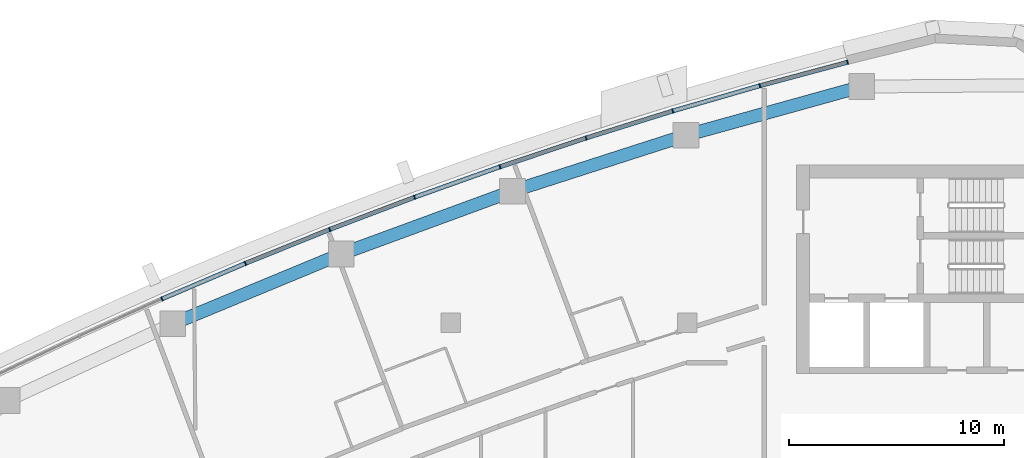
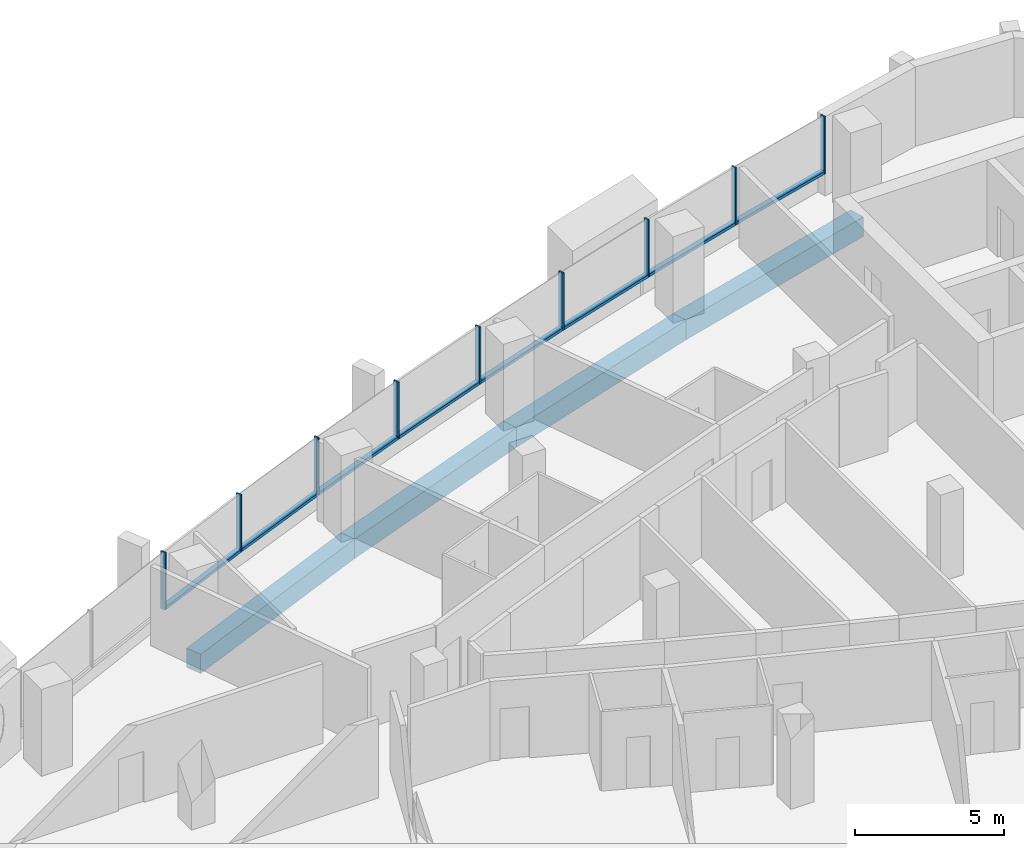
# One storey, part 6 of 15: 17 members, 4 beams, 4 elements without a shape of their own.
"""IFC4 building model written with IfcOpenShell, lengths in metres."""

from ifc_helpers import new_model, si_unit, direction, frame, origin, origin_2d, place, context, subcontext, project, spatial, rectangle, extrude, material, layer, layer_set, material_profile, profile_set, type_object, element, aggregate, save


model = new_model("IFC4")

# Units and contexts
model_context = context("Model", 3, precision=1e-05, world=origin(), true_north=direction((0.0, 1.0)))
body_context = subcontext(model_context, "Body", "Model", "MODEL_VIEW")
ifc_project = project(units=[si_unit("LENGTHUNIT", "METRE"), si_unit("AREAUNIT", "SQUARE_METRE"), si_unit("VOLUMEUNIT", "CUBIC_METRE"), si_unit("PLANEANGLEUNIT", "RADIAN"), si_unit("MASSUNIT", "GRAM", prefix="KILO")], contexts=[model_context])

# Site, building, storey
site_placement = place(None, origin())
site = spatial("IfcSite", under=ifc_project, at=site_placement, CompositionType="ELEMENT")
building_placement = place(site_placement, origin())
building = spatial("IfcBuilding", under=site, at=building_placement, Name="Ostrand Prow Hotel Tower", CompositionType="ELEMENT")
storey_placement = place(building_placement, frame((0.0, 0.0, 238.550048828125)))
storey = spatial("IfcBuildingStorey", under=building, at=storey_placement, Name="L60", CompositionType="ELEMENT", Elevation=238.550048828125)

# Beams
ifc_material_1 = material(Name="Concrete C50/60", Category="concrete")
ifc_material_profile_1 = material_profile(ifc_material_1, rectangle(XDim=0.60009765625, YDim=0.800048828125, at=origin_2d()), Name="RC 600x800")
ifc_profile_set_1 = profile_set([ifc_material_profile_1], Name="Concrete C50/60")
beam_type = type_object("IfcBeamType", Name="Edge beam 600x800 C50/60", PredefinedType="SPANDREL", material=ifc_profile_set_1)
for number, where, z_axis, x_axis, name in (
    (1, (53.12548828125, 19.99951171875, -0.699951171875), (-0.963625802813, -0.267255144297, 0.0), (0.267255144297, -0.963625802813, 0.0), "Edge beam N1-N2"),
    (2, (44.94677734375, 17.731201171875, -0.699951171875), (-0.95193933362, -0.306286638798, 0.0), (0.306286638798, -0.95193933362, 0.0), "Edge beam N2-N3"),
    (3, (36.8671875, 15.131591796875, -0.699951171875), (-0.938684959139, -0.344776083113, 0.0), (0.344776083113, -0.938684959139, 0.0), "Edge beam N3-N4"),
    (4, (28.900146484375, 12.205322265625, -0.699951171875), (-0.923890977326, -0.38265580097, 0.0), (0.38265580097, -0.923890977326, 0.0), "Edge beam N4-N5"),
):
    element("IfcBeam", number, at=place(storey_placement, frame(where, z_axis=z_axis, x_axis=x_axis)), inside=storey, type_object=beam_type, Name=name, PredefinedType="SPANDREL", context=body_context, shape_type="SweptSolid", body=[
        extrude(rectangle(XDim=0.60009765625, YDim=0.800048828125, at=origin_2d()), origin(), (0.0, 0.0, 1.0), 8.487548828125),
    ])

# Curtain wall, members
ifc_material_2 = material(Name="Insulated glass in bronze anodised frame", Category="glass")
ifc_layer = layer(ifc_material_2, 0.199951171875)
ifc_layer_set = layer_set([ifc_layer], Name="Insulated glass in bronze anodised frame")
curtain_wall_type = type_object("IfcCurtainWallType", Name="Strip curtain wall, fritted glass over bronze spandrel", PredefinedType="NOTDEFINED", material=ifc_layer_set)
curtain_wall_1_placement = place(storey_placement, origin())
curtain_wall_1 = element("IfcCurtainWall", 5, at=curtain_wall_1_placement, inside=storey, type_object=curtain_wall_type, Name="CW1 run CWN1", PredefinedType="NOTDEFINED")
ifc_material_3 = material(Name="Bronze anodised aluminium", Category="aluminium")
ifc_material_profile_2 = material_profile(ifc_material_3, rectangle(XDim=0.199951171875, YDim=0.06005859375, at=origin_2d()), Name="Mullion 60x200 bronze anodised aluminium")
ifc_profile_set_2 = profile_set([ifc_material_profile_2], Name="Bronze anodised aluminium")
member_type_1 = type_object("IfcMemberType", Name="Mullion 60x200 bronze anodised aluminium", PredefinedType="MULLION", material=ifc_profile_set_2)
member_1_placement = place(storey_placement, frame((52.465576171875, 21.1328125, 0.89990234375), z_axis=(0.0, 0.0, 1.0), x_axis=(0.258994370132, -0.965878831034, 0.0)))
member_1 = element("IfcMember", 6, at=member_1_placement, type_object=member_type_1, Name="CW1 mullion 1", PredefinedType="MULLION", context=body_context, shape_type="SweptSolid", body=[
    extrude(rectangle(XDim=0.199951171875, YDim=0.06005859375, at=origin_2d()), origin(), (0.0, 0.0, 1.0), 2.35009765625),
])
member_2_placement = place(storey_placement, frame((48.385986328125, 20.038818359375, 0.89990234375), z_axis=(0.0, 0.0, 1.0), x_axis=(0.27839270969, -0.960467333745, 0.0)))
member_2 = element("IfcMember", 7, at=member_2_placement, type_object=member_type_1, Name="CW1 mullion 2", PredefinedType="MULLION", context=body_context, shape_type="SweptSolid", body=[
    extrude(rectangle(XDim=0.199951171875, YDim=0.06005859375, at=origin_2d()), origin(), (0.0, 0.0, 1.0), 2.35009765625),
])
member_3_placement = place(storey_placement, frame((44.3291015625, 18.863037109375, 0.89990234375), z_axis=(0.0, 0.0, 1.0), x_axis=(0.27839270969, -0.960467333745, 0.0)))
member_3 = element("IfcMember", 8, at=member_3_placement, type_object=member_type_1, Name="CW1 mullion 3", PredefinedType="MULLION", context=body_context, shape_type="SweptSolid", body=[
    extrude(rectangle(XDim=0.199951171875, YDim=0.06005859375, at=origin_2d()), origin(), (0.0, 0.0, 1.0), 2.35009765625),
])

curtain_wall_2_placement = place(storey_placement, origin())
curtain_wall_2 = element("IfcCurtainWall", 9, at=curtain_wall_2_placement, inside=storey, type_object=curtain_wall_type, Name="CW1 run CWN2", PredefinedType="NOTDEFINED")
member_4_placement = place(storey_placement, frame((40.297119140625, 17.605712890625, 0.89990234375), z_axis=(0.0, 0.0, 1.0), x_axis=(0.31684118017, -0.948478606268, 0.0)))
member_4 = element("IfcMember", 10, at=member_4_placement, type_object=member_type_1, Name="CW1 mullion 2", PredefinedType="MULLION", context=body_context, shape_type="SweptSolid", body=[
    extrude(rectangle(XDim=0.199951171875, YDim=0.06005859375, at=origin_2d()), origin(), (0.0, 0.0, 1.0), 2.35009765625),
])
member_5_placement = place(storey_placement, frame((36.291015625, 16.267578125, 0.89990234375), z_axis=(0.0, 0.0, 1.0), x_axis=(0.31684118017, -0.948478606268, 0.0)))
member_5 = element("IfcMember", 11, at=member_5_placement, type_object=member_type_1, Name="CW1 mullion 3", PredefinedType="MULLION", context=body_context, shape_type="SweptSolid", body=[
    extrude(rectangle(XDim=0.199951171875, YDim=0.06005859375, at=origin_2d()), origin(), (0.0, 0.0, 1.0), 2.35009765625),
])

curtain_wall_3_placement = place(storey_placement, origin())
curtain_wall_3 = element("IfcCurtainWall", 12, at=curtain_wall_3_placement, inside=storey, type_object=curtain_wall_type, Name="CW1 run CWN3", PredefinedType="NOTDEFINED")
member_6_placement = place(storey_placement, frame((32.3125, 14.848876953125, 0.89990234375), z_axis=(0.0, 0.0, 1.0), x_axis=(0.354777361469, -0.934950813567, 0.0)))
member_6 = element("IfcMember", 13, at=member_6_placement, type_object=member_type_1, Name="CW1 mullion 2", PredefinedType="MULLION", context=body_context, shape_type="SweptSolid", body=[
    extrude(rectangle(XDim=0.199951171875, YDim=0.06005859375, at=origin_2d()), origin(), (0.0, 0.0, 1.0), 2.35009765625),
])
member_7_placement = place(storey_placement, frame((28.363525390625, 13.350341796875, 0.89990234375), z_axis=(0.0, 0.0, 1.0), x_axis=(0.354777361469, -0.934950813567, 0.0)))
member_7 = element("IfcMember", 14, at=member_7_placement, type_object=member_type_1, Name="CW1 mullion 3", PredefinedType="MULLION", context=body_context, shape_type="SweptSolid", body=[
    extrude(rectangle(XDim=0.199951171875, YDim=0.06005859375, at=origin_2d()), origin(), (0.0, 0.0, 1.0), 2.35009765625),
])

curtain_wall_4_placement = place(storey_placement, origin())
curtain_wall_4 = element("IfcCurtainWall", 15, at=curtain_wall_4_placement, inside=storey, type_object=curtain_wall_type, Name="CW1 run CWN4", PredefinedType="NOTDEFINED")
member_8_placement = place(storey_placement, frame((24.445556640625, 11.772705078125, 0.89990234375), z_axis=(0.0, 0.0, 1.0), x_axis=(0.392136433347, -0.919907070112, 0.0)))
member_8 = element("IfcMember", 16, at=member_8_placement, type_object=member_type_1, Name="CW1 mullion 2", PredefinedType="MULLION", context=body_context, shape_type="SweptSolid", body=[
    extrude(rectangle(XDim=0.199951171875, YDim=0.06005859375, at=origin_2d()), origin(), (0.0, 0.0, 1.0), 2.35009765625),
])
member_9_placement = place(storey_placement, frame((20.56005859375, 10.116455078125, 0.89990234375), z_axis=(0.0, 0.0, 1.0), x_axis=(0.392136433347, -0.919907070112, 0.0)))
member_9 = element("IfcMember", 17, at=member_9_placement, type_object=member_type_1, Name="CW1 mullion 3", PredefinedType="MULLION", context=body_context, shape_type="SweptSolid", body=[
    extrude(rectangle(XDim=0.199951171875, YDim=0.06005859375, at=origin_2d()), origin(), (0.0, 0.0, 1.0), 2.35009765625),
])

# Member
ifc_material_4 = material(Name="Bronze anodised aluminium", Category="aluminium")
ifc_material_profile_3 = material_profile(ifc_material_4, rectangle(XDim=0.199951171875, YDim=0.1201171875, at=origin_2d()), Name="Transom 120x200 bronze anodised aluminium")
ifc_profile_set_3 = profile_set([ifc_material_profile_3], Name="Bronze anodised aluminium")
member_type_2 = type_object("IfcMemberType", Name="Transom 120x200 bronze anodised aluminium", PredefinedType="USERDEFINED", material=ifc_profile_set_3)
member_10_placement = place(storey_placement, frame((52.4365234375, 21.125, 0.9599609375), z_axis=(-0.96587683346, -0.259001819657, 0.0), x_axis=(0.259001819657, -0.96587683346, 0.0)))
member_10 = element("IfcMember", 18, at=member_10_placement, type_object=member_type_2, Name="CW1 transom 1.1", ObjectType="TRANSOM", PredefinedType="USERDEFINED", context=body_context, shape_type="SweptSolid", body=[
    extrude(rectangle(XDim=0.199951171875, YDim=0.1201171875, at=origin_2d()), origin(), (0.0, 0.0, 1.0), 4.16357421875),
])

member_11_placement = place(storey_placement, frame((48.357177734375, 20.030517578125, 0.9599609375), z_axis=(-0.960468183791, -0.278389776976, 0.0), x_axis=(0.278389776976, -0.960468183791, 0.0)))
member_11 = element("IfcMember", 19, at=member_11_placement, type_object=member_type_2, Name="CW1 transom 2.1", ObjectType="TRANSOM", PredefinedType="USERDEFINED", context=body_context, shape_type="SweptSolid", body=[
    extrude(rectangle(XDim=0.199951171875, YDim=0.1201171875, at=origin_2d()), origin(), (0.0, 0.0, 1.0), 4.163818359375),
])

aggregate(curtain_wall_1, [member_1, member_2, member_3, member_10, member_11])

member_12_placement = place(storey_placement, frame((44.300537109375, 18.85400390625, 0.9599609375), z_axis=(-0.954676966691, -0.297643896746, 0.0), x_axis=(0.297643896746, -0.954676966691, 0.0)))
member_12 = element("IfcMember", 20, at=member_12_placement, type_object=member_type_2, Name="CW1 transom 1.1", ObjectType="TRANSOM", PredefinedType="USERDEFINED", context=body_context, shape_type="SweptSolid", body=[
    extrude(rectangle(XDim=0.199951171875, YDim=0.1201171875, at=origin_2d()), origin(), (0.0, 0.0, 1.0), 4.16357421875),
])

member_13_placement = place(storey_placement, frame((40.2685546875, 17.59619140625, 0.9599609375), z_axis=(-0.948489622939, -0.316808199353, 0.0), x_axis=(0.316808199353, -0.948489622939, 0.0)))
member_13 = element("IfcMember", 21, at=member_13_placement, type_object=member_type_2, Name="CW1 transom 2.1", ObjectType="TRANSOM", PredefinedType="USERDEFINED", context=body_context, shape_type="SweptSolid", body=[
    extrude(rectangle(XDim=0.199951171875, YDim=0.1201171875, at=origin_2d()), origin(), (0.0, 0.0, 1.0), 4.16357421875),
])

aggregate(curtain_wall_2, [member_4, member_5, member_12, member_13])

member_14_placement = place(storey_placement, frame((36.2626953125, 16.25732421875, 0.9599609375), z_axis=(-0.941911594104, -0.335860907061, 0.0), x_axis=(0.335860907061, -0.941911594104, 0.0)))
member_14 = element("IfcMember", 22, at=member_14_placement, type_object=member_type_2, Name="CW1 transom 1.1", ObjectType="TRANSOM", PredefinedType="USERDEFINED", context=body_context, shape_type="SweptSolid", body=[
    extrude(rectangle(XDim=0.199951171875, YDim=0.1201171875, at=origin_2d()), origin(), (0.0, 0.0, 1.0), 4.163818359375),
])

member_15_placement = place(storey_placement, frame((32.284423828125, 14.838134765625, 0.9599609375), z_axis=(-0.934960644813, -0.354751451936, 0.0), x_axis=(0.354751451936, -0.934960644813, 0.0)))
member_15 = element("IfcMember", 23, at=member_15_placement, type_object=member_type_2, Name="CW1 transom 2.1", ObjectType="TRANSOM", PredefinedType="USERDEFINED", context=body_context, shape_type="SweptSolid", body=[
    extrude(rectangle(XDim=0.199951171875, YDim=0.1201171875, at=origin_2d()), origin(), (0.0, 0.0, 1.0), 4.16357421875),
])

aggregate(curtain_wall_3, [member_6, member_7, member_14, member_15])

member_16_placement = place(storey_placement, frame((28.335693359375, 13.339111328125, 0.9599609375), z_axis=(-0.927625049372, -0.373512741119, 0.0), x_axis=(0.373512741119, -0.927625049372, 0.0)))
member_16 = element("IfcMember", 24, at=member_16_placement, type_object=member_type_2, Name="CW1 transom 1.1", ObjectType="TRANSOM", PredefinedType="USERDEFINED", context=body_context, shape_type="SweptSolid", body=[
    extrude(rectangle(XDim=0.199951171875, YDim=0.1201171875, at=origin_2d()), origin(), (0.0, 0.0, 1.0), 4.16357421875),
])

member_17_placement = place(storey_placement, frame((24.41796875, 11.760986328125, 0.9599609375), z_axis=(-0.919904541337, -0.392142365509, 0.0), x_axis=(0.392142365509, -0.919904541337, 0.0)))
member_17 = element("IfcMember", 25, at=member_17_placement, type_object=member_type_2, Name="CW1 transom 2.1", ObjectType="TRANSOM", PredefinedType="USERDEFINED", context=body_context, shape_type="SweptSolid", body=[
    extrude(rectangle(XDim=0.199951171875, YDim=0.1201171875, at=origin_2d()), origin(), (0.0, 0.0, 1.0), 4.163818359375),
])

aggregate(curtain_wall_4, [member_8, member_9, member_16, member_17])

save(model, "model.ifc")
